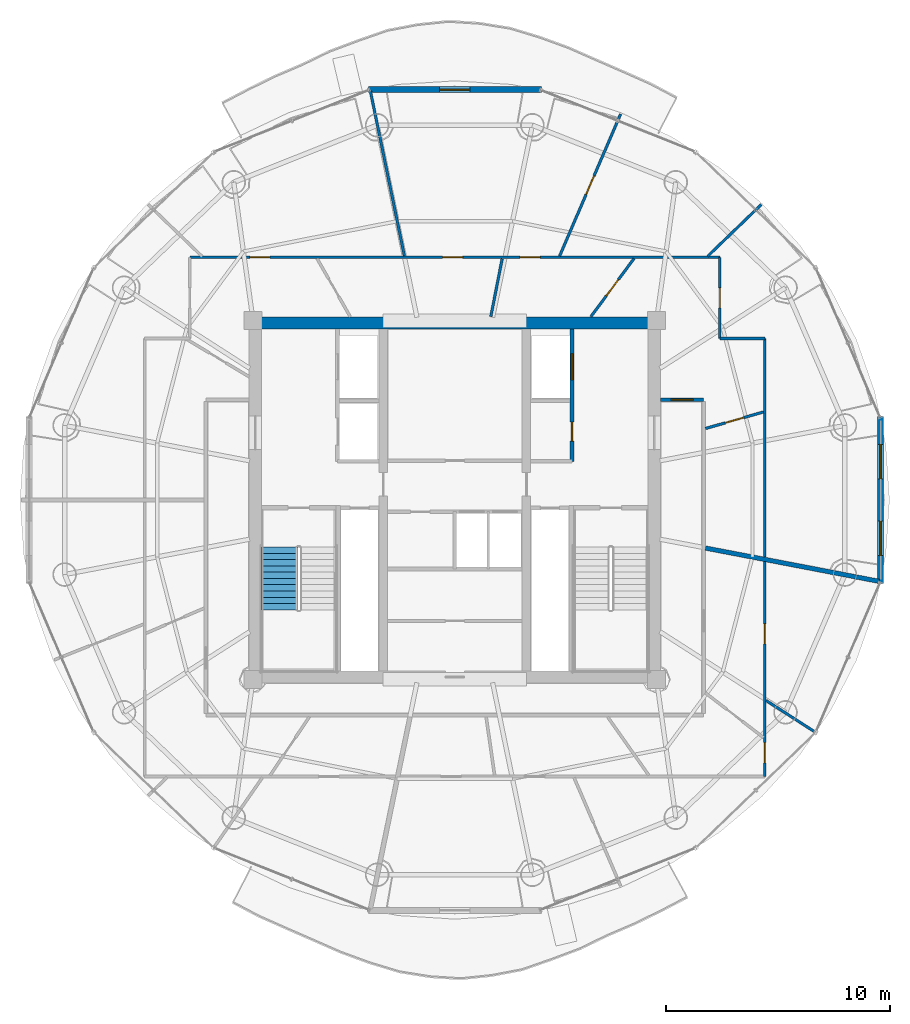
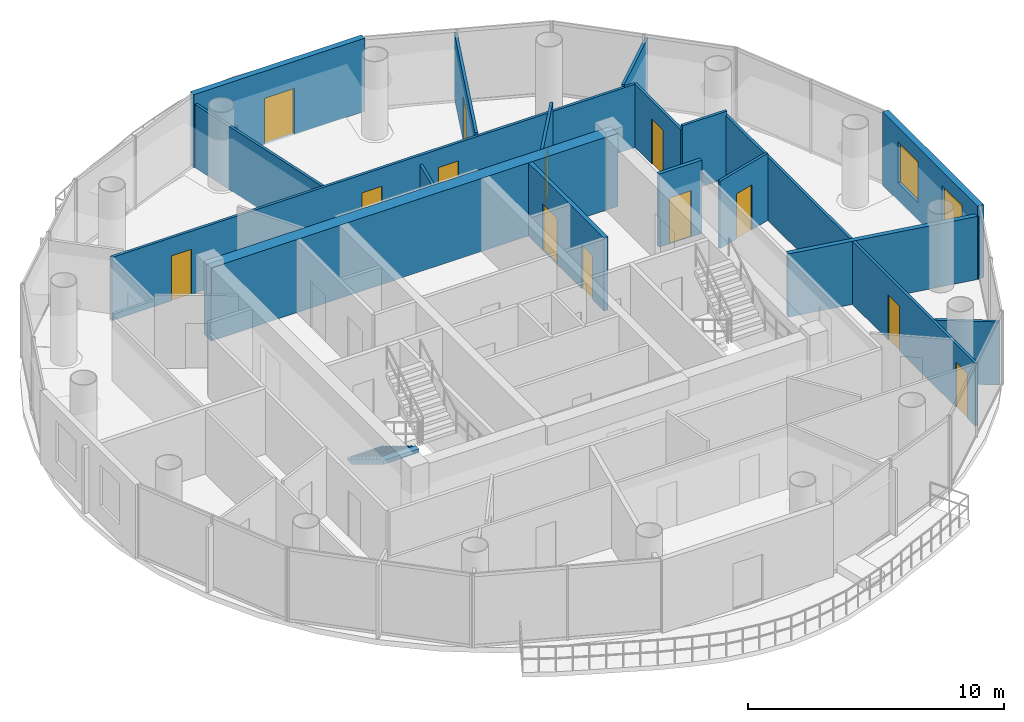
# One storey, part 19 of 23: 18 walls, 13 doors, 2 windows, 1 stair flight, 15 openings, 1 element without a shape of its own.
"""IFC4 building model written with IfcOpenShell, lengths in metres."""

from ifc_helpers import new_model, si_unit, direction, frame, frame_2d, origin, place, context, subcontext, project, spatial, polyline, rectangle, outline, extrude, source, transform, mapped, material, layer, layer_set, type_object, element, fill, aggregate, save


model = new_model("IFC4")

# Units and contexts
model_context = context("Model", 3, precision=1e-05, world=origin(), true_north=direction((-0.2419218956, 0.970295726276)))
body_context = subcontext(model_context, "Body", "Model", "MODEL_VIEW")
ifc_project = project(units=[si_unit("LENGTHUNIT", "METRE"), si_unit("AREAUNIT", "SQUARE_METRE"), si_unit("VOLUMEUNIT", "CUBIC_METRE"), si_unit("PLANEANGLEUNIT", "RADIAN"), si_unit("MASSUNIT", "GRAM", prefix="KILO")], contexts=[model_context])

# Site, building, storey
site_placement = place(None, origin())
site = spatial("IfcSite", under=ifc_project, at=site_placement, CompositionType="ELEMENT")
building_placement = place(site_placement, origin())
building = spatial("IfcBuilding", under=site, at=building_placement, Name="Cobrevalo Terracotta Tower", CompositionType="ELEMENT")
storey_placement = place(building_placement, frame((0.0, 0.0, 263.199951171875)))
storey = spatial("IfcBuildingStorey", under=building, at=storey_placement, Name="L69", CompositionType="ELEMENT", Elevation=263.199951171875)

# Wall
ifc_material_1 = material(Name="Concrete C50", Category="concrete")
ifc_layer_1 = layer(ifc_material_1, 0.550048828125)
ifc_layer_set_1 = layer_set([ifc_layer_1], Name="Concrete C50")
wall_type_1 = type_object("IfcWallType", Name="Core shear wall 550 mm Concrete C50", PredefinedType="SHEAR", material=ifc_layer_set_1)
wall_1_placement = place(storey_placement, frame((28.824951171875, 34.699951171875, 0.0), z_axis=(0.0, 0.0, 1.0), x_axis=(1.0, 0.0, 0.0)))
element("IfcWall", 1, at=wall_1_placement, inside=storey, type_object=wall_type_1, Name="L69 north core shear wall", PredefinedType="SHEAR", context=body_context, shape_type="SweptSolid", body=[
    extrude(rectangle(XDim=18.35009765625, YDim=0.550048828125, at=frame_2d((9.175048828125, 0.0))), origin(), (0.0, 0.0, 1.0), 3.489990234375),
])

# Wall, opening, door
ifc_material_2 = material(Name="Gypsum board on steel stud", Category="steel")
ifc_layer_2 = layer(ifc_material_2, 0.159912109375)
ifc_layer_set_2 = layer_set([ifc_layer_2], Name="Gypsum board on steel stud")
wall_type_2 = type_object("IfcWallType", Name="Fire-rated corridor acoustic partition wall 160 mm", PredefinedType="PARTITIONING", material=ifc_layer_set_2)
wall_2_placement = place(storey_placement, frame((47.175048828125, 31.280029296875, 0.0), z_axis=(0.0, 0.0, 1.0), x_axis=(1.0, 0.0, 0.0)))
wall_2 = element("IfcWall", 2, at=wall_2_placement, inside=storey, type_object=wall_type_2, Name="L69 interior partition IW-L69-COR-EN-CAP", PredefinedType="PARTITIONING", context=body_context, shape_type="SweptSolid", body=[
    extrude(rectangle(XDim=1.929931640625, YDim=0.159912109375, at=frame_2d((0.96484375, 0.0))), origin(), (0.0, 0.0, 1.0), 3.489990234375),
])
opening_1_placement = place(wall_2_placement, frame((0.47509765625, 0.0, 0.0)))
opening_1 = element("IfcOpeningElement", 3, at=opening_1_placement, cuts=wall_2, Name="Opening ID-05", PredefinedType="OPENING", context=body_context, shape_type="SweptSolid", body=[
    extrude(rectangle(XDim=0.97998046875, YDim=2.199951171875, at=frame_2d((0.489990234375, 1.10009765625))), frame((0.0, 0.08984375, 0.0), z_axis=(0.0, -1.0, 0.0), x_axis=(1.0, 0.0, 0.0)), (0.0, 0.0, 1.0), 0.179931640625),
])
ifc_material_3 = material(Name="Solid hardwood timber", Category="wood")
door_type_1 = type_object("IfcDoorType", Name="Residence entrance fire-rated acoustic timber door 980x2200 EI 60", OperationType="NOTDEFINED", PredefinedType="DOOR", material=ifc_material_3)
shared_shape_1 = source(origin(), body_context, "Body", "SweptSolid", [
    extrude(rectangle(XDim=0.97998046875, YDim=2.199951171875, at=frame_2d((0.489990234375, 1.10009765625))), frame((0.0, 0.02490234375, 0.0), z_axis=(0.0, -1.0, 0.0), x_axis=(1.0, 0.0, 0.0)), (0.0, 0.0, 1.0), 0.050048828125),
])
door_1_placement = place(opening_1_placement, origin())
door_1 = element("IfcDoor", 4, at=door_1_placement, inside=storey, type_object=door_type_1, Name="Flat L69A fire-rated apartment entrance door", OperationType="SINGLE_SWING_RIGHT", OverallHeight=2.199951171875, OverallWidth=0.97998046875, PredefinedType="DOOR", context=body_context, shape_type="MappedRepresentation", body=[
    mapped(shared_shape_1, transform((0.0, 0.0, 0.0), scale=1.0)),
])
fill(opening_1, door_1)

# Wall, openings, doors
ifc_layer_3 = layer(ifc_material_2, 0.179931640625)
ifc_layer_set_3 = layer_set([ifc_layer_3], Name="Gypsum board on steel stud")
wall_type_3 = type_object("IfcWallType", Name="Fire-rated shaft & lobby acoustic partition wall 180 mm", PredefinedType="PARTITIONING", material=ifc_layer_set_3)
wall_3_placement = place(storey_placement, frame((43.22998046875, 28.52001953125, 0.0), z_axis=(0.0, 0.0, 1.0), x_axis=(0.0, 1.0, 0.0)))
wall_3 = element("IfcWall", 5, at=wall_3_placement, inside=storey, type_object=wall_type_3, Name="L69 interior partition IW-L69-FF2-E", PredefinedType="PARTITIONING", context=body_context, shape_type="SweptSolid", body=[
    extrude(rectangle(XDim=5.905029296875, YDim=0.179931640625, at=frame_2d((2.95263671875, 0.0))), origin(), (0.0, 0.0, 1.0), 3.489990234375),
])
opening_2_placement = place(wall_3_placement, frame((0.905029296875, 0.0, 0.0)))
opening_2 = element("IfcOpeningElement", 6, at=opening_2_placement, cuts=wall_3, Name="Opening ID-22", PredefinedType="OPENING", context=body_context, shape_type="SweptSolid", body=[
    extrude(rectangle(XDim=0.85009765625, YDim=2.10009765625, at=frame_2d((0.425048828125, 1.050048828125))), frame((0.0, 0.10009765625, 0.0), z_axis=(0.0, -1.0, 0.0), x_axis=(1.0, 0.0, 0.0)), (0.0, 0.0, 1.0), 0.199951171875),
])
opening_3_placement = place(wall_3_placement, frame((3.655029296875, 0.0, 0.0)))
opening_3 = element("IfcOpeningElement", 7, at=opening_3_placement, cuts=wall_3, Name="Opening LD-02", PredefinedType="OPENING", context=body_context, shape_type="SweptSolid", body=[
    extrude(rectangle(XDim=1.14990234375, YDim=2.199951171875, at=frame_2d((0.574951171875, 1.10009765625))), frame((0.0, 0.10009765625, 0.0), z_axis=(0.0, -1.0, 0.0), x_axis=(1.0, 0.0, 0.0)), (0.0, 0.0, 1.0), 0.199951171875),
])
ifc_material_4 = material(Name="Powder-coated steel", Category="steel")
door_type_2 = type_object("IfcDoorType", Name="Riser shaft & meter closet fire access door 850x2100 EI 60", OperationType="NOTDEFINED", PredefinedType="DOOR", material=ifc_material_4)
shared_shape_2 = source(origin(), body_context, "Body", "SweptSolid", [
    extrude(rectangle(XDim=0.85009765625, YDim=2.10009765625, at=frame_2d((0.425048828125, 1.050048828125))), frame((0.0, 0.02490234375, 0.0), z_axis=(0.0, -1.0, 0.0), x_axis=(1.0, 0.0, 0.0)), (0.0, 0.0, 1.0), 0.050048828125),
])
door_2_placement = place(opening_2_placement, frame((0.85009765625, 0.0, 0.0), z_axis=(0.0, 0.0, 1.0), x_axis=(-1.0, 0.0, 0.0)))
door_2 = element("IfcDoor", 8, at=door_2_placement, inside=storey, type_object=door_type_2, Name="L69 housekeeping store door", OperationType="SINGLE_SWING_RIGHT", OverallHeight=2.10009765625, OverallWidth=0.85009765625, PredefinedType="DOOR", context=body_context, shape_type="MappedRepresentation", body=[
    mapped(shared_shape_2, transform((0.0, 0.0, 0.0), scale=1.0)),
])
fill(opening_2, door_2)
ifc_material_5 = material(Name="Brushed stainless steel", Category="steel")
door_type_3 = type_object("IfcDoorType", Name="Firefighting lift landing bi-parting sliding door 1150x2200 EI 120", OperationType="DOUBLE_DOOR_SLIDING", PredefinedType="DOOR", material=ifc_material_5)
shared_shape_3 = source(origin(), body_context, "Body", "SweptSolid", [
    extrude(rectangle(XDim=1.14990234375, YDim=2.199951171875, at=frame_2d((0.574951171875, 1.10009765625))), frame((0.0, 0.02490234375, 0.0), z_axis=(0.0, -1.0, 0.0), x_axis=(1.0, 0.0, 0.0)), (0.0, 0.0, 1.0), 0.050048828125),
])
door_3_placement = place(opening_3_placement, origin())
door_3 = element("IfcDoor", 9, at=door_3_placement, inside=storey, type_object=door_type_3, Name="L69 lift landing door FF-2", OperationType="DOUBLE_DOOR_SLIDING", OverallHeight=2.199951171875, OverallWidth=1.14990234375, PredefinedType="DOOR", context=body_context, shape_type="MappedRepresentation", body=[
    mapped(shared_shape_3, transform((0.0, 0.0, 0.0), scale=1.0)),
])
fill(opening_3, door_3)

# Wall
ifc_material_6 = material(Name="Autoclaved aerated concrete block", Category="concrete")
ifc_layer_4 = layer(ifc_material_6, 0.199951171875)
ifc_layer_set_4 = layer_set([ifc_layer_4], Name="Autoclaved aerated concrete block")
wall_type_4 = type_object("IfcWallType", Name="Fire-rated stair, shaft & demising masonry wall 200 mm", PredefinedType="PARTITIONING", material=ifc_layer_set_4)
wall_4_placement = place(storey_placement, frame((49.18505859375, 24.655517578125, 0.0), z_axis=(0.0, 0.0, 1.0), x_axis=(0.982109889803, -0.188308694305, 0.0)))
element("IfcWall", 10, at=wall_4_placement, inside=storey, type_object=wall_type_4, Name="L69 interior partition IW-L69-DEM-1", PredefinedType="PARTITIONING", context=body_context, shape_type="SweptSolid", body=[
    extrude(rectangle(XDim=7.884033203125, YDim=0.199951171875, at=frame_2d((3.94189453125, 0.0))), origin(), (0.0, 0.0, 1.0), 3.01513671875),
])

# Wall, openings, windows
ifc_layer_5 = layer(ifc_material_6, 0.280029296875)
ifc_layer_set_5 = layer_set([ifc_layer_5], Name="Autoclaved aerated concrete block")
wall_type_5 = type_object("IfcWallType", Name="Insulated tower spandrel & pier wall 280 mm with terracotta rainscreen", PredefinedType="SOLIDWALL", material=ifc_layer_set_5)
wall_5_placement = place(storey_placement, frame((56.997802734375, 23.07763671875, 0.0), z_axis=(0.0, 0.0, 1.0), x_axis=(0.0, 1.0, 0.0)))
wall_5 = element("IfcWall", 11, at=wall_5_placement, inside=storey, type_object=wall_type_5, Name="L69 terracotta rainscreen pier wall S16", PredefinedType="SOLIDWALL", context=body_context, shape_type="SweptSolid", body=[
    extrude(rectangle(XDim=7.444580078125, YDim=0.280029296875, at=frame_2d((3.72216796875, 0.0))), origin(), (0.0, 0.0, 1.0), 3.489990234375),
])
opening_4_placement = place(wall_5_placement, frame((1.235107421875, 0.0, 0.85009765625)))
opening_4 = element("IfcOpeningElement", 12, at=opening_4_placement, cuts=wall_5, Name="Opening WN-12", PredefinedType="OPENING", context=body_context, shape_type="SweptSolid", body=[
    extrude(rectangle(XDim=1.550048828125, YDim=1.949951171875, at=frame_2d((0.77490234375, 0.97509765625))), frame((0.0, 0.14990234375, 0.0), z_axis=(0.0, -1.0, 0.0), x_axis=(1.0, 0.0, 0.0)), (0.0, 0.0, 1.0), 0.300048828125),
])
opening_5_placement = place(wall_5_placement, frame((4.65966796875, 0.0, 0.85009765625)))
opening_5 = element("IfcOpeningElement", 13, at=opening_5_placement, cuts=wall_5, Name="Opening WN-12", PredefinedType="OPENING", context=body_context, shape_type="SweptSolid", body=[
    extrude(rectangle(XDim=1.550048828125, YDim=1.949951171875, at=frame_2d((0.77490234375, 0.97509765625))), frame((0.0, 0.14990234375, 0.0), z_axis=(0.0, -1.0, 0.0), x_axis=(1.0, 0.0, 0.0)), (0.0, 0.0, 1.0), 0.300048828125),
])
ifc_material_7 = material(Name="Solar-control low-E double glazing", Category="glass")
window_type = type_object("IfcWindowType", Name="Solar-control low-E aluminium window 1550x1950", PartitioningType="SINGLE_PANEL", PredefinedType="WINDOW", material=ifc_material_7)
shared_shape_4 = source(origin(), body_context, "Body", "SweptSolid", [
    extrude(rectangle(XDim=1.550048828125, YDim=1.949951171875, at=frame_2d((0.77490234375, 0.97509765625))), frame((0.0, 0.030029296875, 0.0), z_axis=(0.0, -1.0, 0.0), x_axis=(1.0, 0.0, 0.0)), (0.0, 0.0, 1.0), 0.06005859375),
])
window_1_placement = place(opening_4_placement, origin())
window_1 = element("IfcWindow", 14, at=window_1_placement, inside=storey, type_object=window_type, Name="L69 suite window S16A", OverallHeight=1.949951171875, OverallWidth=1.550048828125, PartitioningType="SINGLE_PANEL", PredefinedType="WINDOW", context=body_context, shape_type="MappedRepresentation", body=[
    mapped(shared_shape_4, transform((0.0, 0.0, 0.0), scale=1.0)),
])
fill(opening_4, window_1)
window_2_placement = place(opening_5_placement, origin())
window_2 = element("IfcWindow", 15, at=window_2_placement, inside=storey, type_object=window_type, Name="L69 suite window S16B", OverallHeight=1.949951171875, OverallWidth=1.550048828125, PartitioningType="SINGLE_PANEL", PredefinedType="WINDOW", context=body_context, shape_type="MappedRepresentation", body=[
    mapped(shared_shape_4, transform((0.0, 0.0, 0.0), scale=1.0)),
])
fill(opening_5, window_2)

# Wall, opening, door
ifc_layer_6 = layer(ifc_material_6, 0.260009765625)
ifc_layer_set_6 = layer_set([ifc_layer_6], Name="Autoclaved aerated concrete block")
wall_type_6 = type_object("IfcWallType", Name="Recessed balcony loggia insulated exterior wall 260 mm", PredefinedType="SOLIDWALL", material=ifc_layer_set_6)
wall_6_placement = place(storey_placement, frame((41.85888671875, 45.111328125, 0.0), z_axis=(0.0, 0.0, 1.0), x_axis=(-1.0, 0.0, 0.0)))
wall_6 = element("IfcWall", 16, at=wall_6_placement, inside=storey, type_object=wall_type_6, Name="L69 balcony loggia wall S04", PredefinedType="SOLIDWALL", context=body_context, shape_type="SweptSolid", body=[
    extrude(rectangle(XDim=7.7177734375, YDim=0.260009765625, at=frame_2d((3.85888671875, 0.0))), origin(), (0.0, 0.0, 1.0), 3.489990234375),
])
opening_6_placement = place(wall_6_placement, frame((3.183837890625, 0.0, 0.0)))
opening_6 = element("IfcOpeningElement", 17, at=opening_6_placement, cuts=wall_6, Name="Opening ED-05", PredefinedType="OPENING", context=body_context, shape_type="SweptSolid", body=[
    extrude(rectangle(XDim=1.35009765625, YDim=2.199951171875, at=frame_2d((0.675048828125, 1.10009765625))), frame((0.0, 0.14013671875, 0.0), z_axis=(0.0, -1.0, 0.0), x_axis=(1.0, 0.0, 0.0)), (0.0, 0.0, 1.0), 0.280029296875),
])
ifc_material_8 = material(Name="Anodized aluminium and laminated glass", Category="aluminium")
door_type_4 = type_object("IfcDoorType", Name="Suite balcony acoustic glazed terrace door 1350x2200", OperationType="NOTDEFINED", PredefinedType="DOOR", material=ifc_material_8)
shared_shape_5 = source(origin(), body_context, "Body", "SweptSolid", [
    extrude(rectangle(XDim=1.35009765625, YDim=2.199951171875, at=frame_2d((0.675048828125, 1.10009765625))), frame((0.0, 0.02490234375, 0.0), z_axis=(0.0, -1.0, 0.0), x_axis=(1.0, 0.0, 0.0)), (0.0, 0.0, 1.0), 0.050048828125),
])
door_4_placement = place(opening_6_placement, frame((1.35009765625, 0.0, 0.0), z_axis=(0.0, 0.0, 1.0), x_axis=(-1.0, 0.0, 0.0)))
door_4 = element("IfcDoor", 18, at=door_4_placement, inside=storey, type_object=door_type_4, Name="L69 glazed balcony terrace door 1", OperationType="SINGLE_SWING_LEFT", OverallHeight=2.199951171875, OverallWidth=1.35009765625, PredefinedType="DOOR", context=body_context, shape_type="MappedRepresentation", body=[
    mapped(shared_shape_5, transform((0.0, 0.0, 0.0), scale=1.0)),
])
fill(opening_6, door_4)

# Wall, openings, doors
ifc_layer_7 = layer(ifc_material_2, 0.1201171875)
ifc_layer_set_7 = layer_set([ifc_layer_7], Name="Gypsum board on steel stud")
wall_type_7 = type_object("IfcWallType", Name="Residential internal acoustic stud partition 120 mm", PredefinedType="PARTITIONING", material=ifc_layer_set_7)
wall_7_placement = place(storey_placement, frame((26.175048828125, 37.625, 0.0), z_axis=(0.0, 0.0, 1.0), x_axis=(1.0, 0.0, 0.0)))
wall_7 = element("IfcWall", 19, at=wall_7_placement, inside=storey, type_object=wall_type_7, Name="L69 interior partition IW-L69-U1-RING3_0", PredefinedType="PARTITIONING", context=body_context, shape_type="SweptSolid", body=[
    extrude(rectangle(XDim=23.64990234375, YDim=0.1201171875, at=frame_2d((11.824951171875, 0.0))), origin(), (0.0, 0.0, 1.0), 3.01513671875),
])
opening_7_placement = place(wall_7_placement, frame((14.732666015625, 0.0, 0.0)))
opening_7 = element("IfcOpeningElement", 20, at=opening_7_placement, cuts=wall_7, Name="Opening ID-12", PredefinedType="OPENING", context=body_context, shape_type="SweptSolid", body=[
    extrude(rectangle(XDim=0.89990234375, YDim=2.14990234375, at=frame_2d((0.449951171875, 1.074951171875))), frame((0.0, 0.070068359375, 0.0), z_axis=(0.0, -1.0, 0.0), x_axis=(1.0, 0.0, 0.0)), (0.0, 0.0, 1.0), 0.14013671875),
])
opening_8_placement = place(wall_7_placement, frame((11.279052734375, 0.0, 0.0)))
opening_8 = element("IfcOpeningElement", 21, at=opening_8_placement, cuts=wall_7, Name="Opening ID-12", PredefinedType="OPENING", context=body_context, shape_type="SweptSolid", body=[
    extrude(rectangle(XDim=0.89990234375, YDim=2.14990234375, at=frame_2d((0.449951171875, 1.074951171875))), frame((0.0, 0.070068359375, 0.0), z_axis=(0.0, -1.0, 0.0), x_axis=(1.0, 0.0, 0.0)), (0.0, 0.0, 1.0), 0.14013671875),
])
opening_9_placement = place(wall_7_placement, frame((2.67822265625, 0.0, 0.0)))
opening_9 = element("IfcOpeningElement", 22, at=opening_9_placement, cuts=wall_7, Name="Opening ID-12", PredefinedType="OPENING", context=body_context, shape_type="SweptSolid", body=[
    extrude(rectangle(XDim=0.89990234375, YDim=2.14990234375, at=frame_2d((0.449951171875, 1.074951171875))), frame((0.0, 0.070068359375, 0.0), z_axis=(0.0, -1.0, 0.0), x_axis=(1.0, 0.0, 0.0)), (0.0, 0.0, 1.0), 0.14013671875),
])
ifc_material_9 = material(Name="Engineered timber", Category="wood")
door_type_5 = type_object("IfcDoorType", Name="Internal residence & suite timber door 900x2150", OperationType="NOTDEFINED", PredefinedType="DOOR", material=ifc_material_9)
shared_shape_6 = source(origin(), body_context, "Body", "SweptSolid", [
    extrude(rectangle(XDim=0.89990234375, YDim=2.14990234375, at=frame_2d((0.449951171875, 1.074951171875))), frame((0.0, 0.02490234375, 0.0), z_axis=(0.0, -1.0, 0.0), x_axis=(1.0, 0.0, 0.0)), (0.0, 0.0, 1.0), 0.050048828125),
])
door_5_placement = place(opening_7_placement, origin())
door_5 = element("IfcDoor", 23, at=door_5_placement, inside=storey, type_object=door_type_5, Name="Flat L69A Penthouse Family Lounge internal door", OperationType="SINGLE_SWING_RIGHT", OverallHeight=2.14990234375, OverallWidth=0.89990234375, PredefinedType="DOOR", context=body_context, shape_type="MappedRepresentation", body=[
    mapped(shared_shape_6, transform((0.0, 0.0, 0.0), scale=1.0)),
])
fill(opening_7, door_5)
door_6_placement = place(opening_8_placement, frame((0.89990234375, 0.0, 0.0), z_axis=(0.0, 0.0, 1.0), x_axis=(-1.0, 0.0, 0.0)))
door_6 = element("IfcDoor", 24, at=door_6_placement, inside=storey, type_object=door_type_5, Name="Flat L69A Private Library Meeting Room internal door", OperationType="SINGLE_SWING_LEFT", OverallHeight=2.14990234375, OverallWidth=0.89990234375, PredefinedType="DOOR", context=body_context, shape_type="MappedRepresentation", body=[
    mapped(shared_shape_6, transform((0.0, 0.0, 0.0), scale=1.0)),
])
fill(opening_8, door_6)
door_7_placement = place(opening_9_placement, origin())
door_7 = element("IfcDoor", 25, at=door_7_placement, inside=storey, type_object=door_type_5, Name="Flat L69A Principal Guest Bedroom internal door", OperationType="SINGLE_SWING_LEFT", OverallHeight=2.14990234375, OverallWidth=0.89990234375, PredefinedType="DOOR", context=body_context, shape_type="MappedRepresentation", body=[
    mapped(shared_shape_6, transform((0.0, 0.0, 0.0), scale=1.0)),
])
fill(opening_9, door_7)

# Wall, opening, door
wall_8_placement = place(storey_placement, frame((49.824951171875, 37.625, 0.0), z_axis=(0.0, 0.0, 1.0), x_axis=(0.0, -1.0, 0.0)))
wall_8 = element("IfcWall", 26, at=wall_8_placement, inside=storey, type_object=wall_type_7, Name="L69 interior partition IW-L69-U1-RING4_0", PredefinedType="PARTITIONING", context=body_context, shape_type="SweptSolid", body=[
    extrude(rectangle(XDim=3.614990234375, YDim=0.1201171875, at=frame_2d((1.8076171875, 0.0))), origin(), (0.0, 0.0, 1.0), 3.01513671875),
])
opening_10_placement = place(wall_8_placement, frame((1.357421875, 0.0, 0.0)))
opening_10 = element("IfcOpeningElement", 27, at=opening_10_placement, cuts=wall_8, Name="Opening ID-12", PredefinedType="OPENING", context=body_context, shape_type="SweptSolid", body=[
    extrude(rectangle(XDim=0.89990234375, YDim=2.14990234375, at=frame_2d((0.449951171875, 1.074951171875))), frame((0.0, 0.070068359375, 0.0), z_axis=(0.0, -1.0, 0.0), x_axis=(1.0, 0.0, 0.0)), (0.0, 0.0, 1.0), 0.14013671875),
])
door_8_placement = place(opening_10_placement, origin())
door_8 = element("IfcDoor", 28, at=door_8_placement, inside=storey, type_object=door_type_5, Name="Flat L69A Living and Dining Room internal door", OperationType="SINGLE_SWING_RIGHT", OverallHeight=2.14990234375, OverallWidth=0.89990234375, PredefinedType="DOOR", context=body_context, shape_type="MappedRepresentation", body=[
    mapped(shared_shape_6, transform((0.0, 0.0, 0.0), scale=1.0)),
])
fill(opening_10, door_8)

# Walls
wall_9_placement = place(storey_placement, frame((49.824951171875, 34.010009765625, 0.0), z_axis=(0.0, 0.0, 1.0), x_axis=(1.0, 0.0, 0.0)))
element("IfcWall", 29, at=wall_9_placement, inside=storey, type_object=wall_type_7, Name="L69 interior partition IW-L69-U1-RING5_0", PredefinedType="PARTITIONING", context=body_context, shape_type="SweptSolid", body=[
    extrude(rectangle(XDim=2.010009765625, YDim=0.1201171875, at=frame_2d((1.0048828125, 0.0))), origin(), (0.0, 0.0, 1.0), 3.208984375),
])
wall_10_placement = place(storey_placement, frame((51.8349609375, 34.010009765625, 0.0), z_axis=(0.0, 0.0, 1.0), x_axis=(0.0, -1.0, 0.0)))
element("IfcWall", 30, at=wall_10_placement, inside=storey, type_object=wall_type_7, Name="L69 interior partition IW-L69-U1-RING6_0", PredefinedType="PARTITIONING", context=body_context, shape_type="SweptSolid", body=[
    extrude(rectangle(XDim=9.7607421875, YDim=0.1201171875, at=frame_2d((4.88037109375, 0.0))), origin(), (0.0, 0.0, 1.0), 3.01513671875),
])
wall_11_placement = place(storey_placement, frame((49.27490234375, 37.66796875, 0.0), z_axis=(0.0, 0.0, 1.0), x_axis=(0.719954096891, 0.694021684366, 0.0)))
element("IfcWall", 31, at=wall_11_placement, inside=storey, type_object=wall_type_7, Name="L69 interior partition IW-L69-U1-ORAD1", PredefinedType="PARTITIONING", context=body_context, shape_type="SweptSolid", body=[
    extrude(rectangle(XDim=3.332763671875, YDim=0.1201171875, at=frame_2d((1.66650390625, 0.0))), origin(), (0.0, 0.0, 1.0), 3.12109375),
])

# Wall, opening, door
wall_12_placement = place(storey_placement, frame((42.67626953125, 37.681884765625, 0.0), z_axis=(0.0, 0.0, 1.0), x_axis=(0.394777489933, 0.918776759307, 0.0)))
wall_12 = element("IfcWall", 32, at=wall_12_placement, inside=storey, type_object=wall_type_7, Name="L69 interior partition IW-L69-U1-ORAD2M1", PredefinedType="PARTITIONING", context=body_context, shape_type="SweptSolid", body=[
    extrude(rectangle(XDim=6.899658203125, YDim=0.1201171875, at=frame_2d((3.44970703125, 0.0))), origin(), (0.0, 0.0, 1.0), 3.12109375),
])
opening_11_placement = place(wall_12_placement, frame((3.0, 0.0, 0.0)))
opening_11 = element("IfcOpeningElement", 33, at=opening_11_placement, cuts=wall_12, Name="Opening ID-12", PredefinedType="OPENING", context=body_context, shape_type="SweptSolid", body=[
    extrude(rectangle(XDim=0.89990234375, YDim=2.14990234375, at=frame_2d((0.449951171875, 1.074951171875))), frame((0.0, 0.070068359375, 0.0), z_axis=(0.0, -1.0, 0.0), x_axis=(1.0, 0.0, 0.0)), (0.0, 0.0, 1.0), 0.14013671875),
])
door_9_placement = place(opening_11_placement, frame((0.89990234375, 0.0, 0.0), z_axis=(0.0, 0.0, 1.0), x_axis=(-1.0, 0.0, 0.0)))
door_9 = element("IfcDoor", 34, at=door_9_placement, inside=storey, type_object=door_type_5, Name="Flat L69A Master Bedroom internal door", OperationType="SINGLE_SWING_RIGHT", OverallHeight=2.14990234375, OverallWidth=0.89990234375, PredefinedType="DOOR", context=body_context, shape_type="MappedRepresentation", body=[
    mapped(shared_shape_6, transform((0.0, 0.0, 0.0), scale=1.0)),
])
fill(opening_11, door_9)

# Wall
wall_13_placement = place(storey_placement, frame((35.753662109375, 37.685791015625, 0.0), z_axis=(0.0, 0.0, 1.0), x_axis=(-0.202105877204, 0.979363678313, 0.0)))
element("IfcWall", 35, at=wall_13_placement, inside=storey, type_object=wall_type_7, Name="L69 interior partition IW-L69-U1-ORAD2", PredefinedType="PARTITIONING", context=body_context, shape_type="SweptSolid", body=[
    extrude(rectangle(XDim=7.512451171875, YDim=0.1201171875, at=frame_2d((3.75634765625, 0.0))), origin(), (0.0, 0.0, 1.0), 3.01513671875),
])

# Wall, opening, door
wall_14_placement = place(storey_placement, frame((49.18505859375, 29.98974609375, 0.0), z_axis=(0.0, 0.0, 1.0), x_axis=(0.961653809431, 0.274266204273, 0.0)))
wall_14 = element("IfcWall", 36, at=wall_14_placement, inside=storey, type_object=wall_type_7, Name="L69 interior partition IW-L69-U1-IRAD1", PredefinedType="PARTITIONING", context=body_context, shape_type="SweptSolid", body=[
    extrude(rectangle(XDim=2.693603515625, YDim=0.1201171875, at=frame_2d((1.3466796875, 0.0))), origin(), (0.0, 0.0, 1.0), 3.208984375),
])
opening_12_placement = place(wall_14_placement, frame((0.916748046875, 0.0, 0.0)))
opening_12 = element("IfcOpeningElement", 37, at=opening_12_placement, cuts=wall_14, Name="Opening ID-19", PredefinedType="OPENING", context=body_context, shape_type="SweptSolid", body=[
    extrude(rectangle(XDim=0.860107421875, YDim=2.14990234375, at=frame_2d((0.43017578125, 1.074951171875))), frame((0.0, 0.070068359375, 0.0), z_axis=(0.0, -1.0, 0.0), x_axis=(1.0, 0.0, 0.0)), (0.0, 0.0, 1.0), 0.14013671875),
])
ifc_material_10 = material(Name="Moisture-sealed timber", Category="wood")
door_type_6 = type_object("IfcDoorType", Name="Suite bathroom internal timber door 860x2150", OperationType="NOTDEFINED", PredefinedType="DOOR", material=ifc_material_10)
shared_shape_7 = source(origin(), body_context, "Body", "SweptSolid", [
    extrude(rectangle(XDim=0.860107421875, YDim=2.14990234375, at=frame_2d((0.43017578125, 1.074951171875))), frame((0.0, 0.02490234375, 0.0), z_axis=(0.0, -1.0, 0.0), x_axis=(1.0, 0.0, 0.0)), (0.0, 0.0, 1.0), 0.050048828125),
])
door_10_placement = place(opening_12_placement, frame((0.860107421875, 0.0, 0.0), z_axis=(0.0, 0.0, 1.0), x_axis=(-1.0, 0.0, 0.0)))
door_10 = element("IfcDoor", 38, at=door_10_placement, inside=storey, type_object=door_type_6, Name="Flat L69A Primary Bathroom internal door", OperationType="SINGLE_SWING_LEFT", OverallHeight=2.14990234375, OverallWidth=0.860107421875, PredefinedType="DOOR", context=body_context, shape_type="MappedRepresentation", body=[
    mapped(shared_shape_7, transform((0.0, 0.0, 0.0), scale=1.0)),
])
fill(opening_12, door_10)

wall_15_placement = place(storey_placement, frame((44.0703125, 34.9765625, 0.0), z_axis=(0.0, 0.0, 1.0), x_axis=(0.596033679783, 0.802959433947, 0.0)))
wall_15 = element("IfcWall", 39, at=wall_15_placement, inside=storey, type_object=wall_type_7, Name="L69 interior partition IW-L69-U1-IRAD2", PredefinedType="PARTITIONING", context=body_context, shape_type="SweptSolid", body=[
    extrude(rectangle(XDim=3.236328125, YDim=0.1201171875, at=frame_2d((1.6181640625, 0.0))), origin(), (0.0, 0.0, 1.0), 3.489990234375),
])
opening_13_placement = place(wall_15_placement, frame((1.168212890625, 0.0, 0.0)))
opening_13 = element("IfcOpeningElement", 40, at=opening_13_placement, cuts=wall_15, Name="Opening ID-12", PredefinedType="OPENING", context=body_context, shape_type="SweptSolid", body=[
    extrude(rectangle(XDim=0.89990234375, YDim=2.14990234375, at=frame_2d((0.449951171875, 1.074951171875))), frame((0.0, 0.070068359375, 0.0), z_axis=(0.0, -1.0, 0.0), x_axis=(1.0, 0.0, 0.0)), (0.0, 0.0, 1.0), 0.14013671875),
])
door_11_placement = place(opening_13_placement, origin())
door_11 = element("IfcDoor", 41, at=door_11_placement, inside=storey, type_object=door_type_5, Name="Flat L69A Kitchen internal door", OperationType="SINGLE_SWING_LEFT", OverallHeight=2.14990234375, OverallWidth=0.89990234375, PredefinedType="DOOR", context=body_context, shape_type="MappedRepresentation", body=[
    mapped(shared_shape_6, transform((0.0, 0.0, 0.0), scale=1.0)),
])
fill(opening_13, door_11)

# Wall
wall_16_placement = place(storey_placement, frame((39.606689453125, 34.97705078125, 0.0), z_axis=(0.0, 0.0, 1.0), x_axis=(0.192785105701, 0.981241001497, 0.0)))
element("IfcWall", 42, at=wall_16_placement, inside=storey, type_object=wall_type_7, Name="L69 interior partition IW-L69-U1-IRAD3", PredefinedType="PARTITIONING", context=body_context, shape_type="SweptSolid", body=[
    extrude(rectangle(XDim=2.63671875, YDim=0.1201171875, at=frame_2d((1.318359375, 0.0))), origin(), (0.0, 0.0, 1.0), 2.574951171875),
])

# Wall, openings, doors
wall_17_placement = place(storey_placement, frame((51.8349609375, 24.04541015625, 0.0), z_axis=(0.0, 0.0, 1.0), x_axis=(0.0, -1.0, 0.0)))
wall_17 = element("IfcWall", 43, at=wall_17_placement, inside=storey, type_object=wall_type_7, Name="L69 interior partition IW-L69-U3-RING0_0", PredefinedType="PARTITIONING", context=body_context, shape_type="SweptSolid", body=[
    extrude(rectangle(XDim=9.580322265625, YDim=0.1201171875, at=frame_2d((4.7900390625, 0.0))), origin(), (0.0, 0.0, 1.0), 3.01513671875),
])
opening_14_placement = place(wall_17_placement, frame((2.770751953125, 0.0, 0.0)))
opening_14 = element("IfcOpeningElement", 44, at=opening_14_placement, cuts=wall_17, Name="Opening ID-12", PredefinedType="OPENING", context=body_context, shape_type="SweptSolid", body=[
    extrude(rectangle(XDim=0.89990234375, YDim=2.14990234375, at=frame_2d((0.449951171875, 1.074951171875))), frame((0.0, 0.070068359375, 0.0), z_axis=(0.0, -1.0, 0.0), x_axis=(1.0, 0.0, 0.0)), (0.0, 0.0, 1.0), 0.14013671875),
])
opening_15_placement = place(wall_17_placement, frame((8.072998046875, 0.0, 0.0)))
opening_15 = element("IfcOpeningElement", 45, at=opening_15_placement, cuts=wall_17, Name="Opening ID-12", PredefinedType="OPENING", context=body_context, shape_type="SweptSolid", body=[
    extrude(rectangle(XDim=0.89990234375, YDim=2.14990234375, at=frame_2d((0.449951171875, 1.074951171875))), frame((0.0, 0.070068359375, 0.0), z_axis=(0.0, -1.0, 0.0), x_axis=(1.0, 0.0, 0.0)), (0.0, 0.0, 1.0), 0.14013671875),
])
door_12_placement = place(opening_14_placement, origin())
door_12 = element("IfcDoor", 46, at=door_12_placement, inside=storey, type_object=door_type_5, Name="Flat L69C Principal Guest Bedroom internal door", OperationType="SINGLE_SWING_LEFT", OverallHeight=2.14990234375, OverallWidth=0.89990234375, PredefinedType="DOOR", context=body_context, shape_type="MappedRepresentation", body=[
    mapped(shared_shape_6, transform((0.0, 0.0, 0.0), scale=1.0)),
])
fill(opening_14, door_12)
door_13_placement = place(opening_15_placement, frame((0.89990234375, 0.0, 0.0), z_axis=(0.0, 0.0, 1.0), x_axis=(-1.0, 0.0, 0.0)))
door_13 = element("IfcDoor", 47, at=door_13_placement, inside=storey, type_object=door_type_5, Name="Flat L69C Master Bedroom internal door", OperationType="SINGLE_SWING_RIGHT", OverallHeight=2.14990234375, OverallWidth=0.89990234375, PredefinedType="DOOR", context=body_context, shape_type="MappedRepresentation", body=[
    mapped(shared_shape_6, transform((0.0, 0.0, 0.0), scale=1.0)),
])
fill(opening_15, door_13)

# Wall
wall_18_placement = place(storey_placement, frame((51.88720703125, 17.855712890625, 0.0), z_axis=(0.0, 0.0, 1.0), x_axis=(0.840708587197, -0.54148783127, 0.0)))
element("IfcWall", 48, at=wall_18_placement, inside=storey, type_object=wall_type_7, Name="L69 interior partition IW-L69-U3-ORAD2", PredefinedType="PARTITIONING", context=body_context, shape_type="SweptSolid", body=[
    extrude(rectangle(XDim=2.567626953125, YDim=0.1201171875, at=frame_2d((1.28369140625, 0.0))), origin(), (0.0, 0.0, 1.0), 3.01513671875),
])

# Stair, stair flight
stair_type = type_object("IfcStairType", Name="Core protected escape dogleg stair 1600", PredefinedType="HALF_TURN_STAIR", material=ifc_material_1)
stair_placement = place(storey_placement, origin())
stair = element("IfcStair", 49, at=stair_placement, inside=storey, type_object=stair_type, Name="L69 Protected exit stair ST-1", PredefinedType="HALF_TURN_STAIR")
stair_flight_type = type_object("IfcStairFlightType", Name="Core protected escape dogleg stair 1600 flight", PredefinedType="STRAIGHT", material=ifc_material_1)
stair_flight_placement = place(storey_placement, frame((30.175048828125, 24.699951171875, 0.0), z_axis=(0.0, 0.0, 1.0), x_axis=(0.0, -1.0, 0.0)))
stair_flight = element("IfcStairFlight", 50, at=stair_flight_placement, type_object=stair_flight_type, Name="ST-1 flight 1", NumberOfRisers=11, NumberOfTreads=10, PredefinedType="STRAIGHT", RiserHeight=0.170454545, TreadLength=0.28, context=body_context, shape_type="SweptSolid", body=[
    extrude(outline(polyline([(0.0, 0.0), (0.0, 0.17041015625), (0.280029296875, 0.17041015625), (0.280029296875, 0.3408203125), (0.56005859375, 0.3408203125), (0.56005859375, 0.511474609375), (0.840087890625, 0.511474609375), (0.840087890625, 0.681884765625), (1.1201171875, 0.681884765625), (1.1201171875, 0.852294921875), (1.39990234375, 0.852294921875), (1.39990234375, 1.022705078125), (1.679931640625, 1.022705078125), (1.679931640625, 1.193115234375), (1.9599609375, 1.193115234375), (1.9599609375, 1.363525390625), (2.239990234375, 1.363525390625), (2.239990234375, 1.5341796875), (2.52001953125, 1.5341796875), (2.52001953125, 1.70458984375), (2.800048828125, 1.70458984375), (2.800048828125, 1.875), (2.800048828125, 1.517333984375), (0.3076171875, 0.0), (0.0, 0.0)])), frame((0.0, 0.800048828125, 0.0), z_axis=(0.0, -1.0, 0.0), x_axis=(1.0, 0.0, 0.0)), (0.0, 0.0, 1.0), 1.60009765625),
])
aggregate(stair, [stair_flight])

save(model, "model.ifc")
